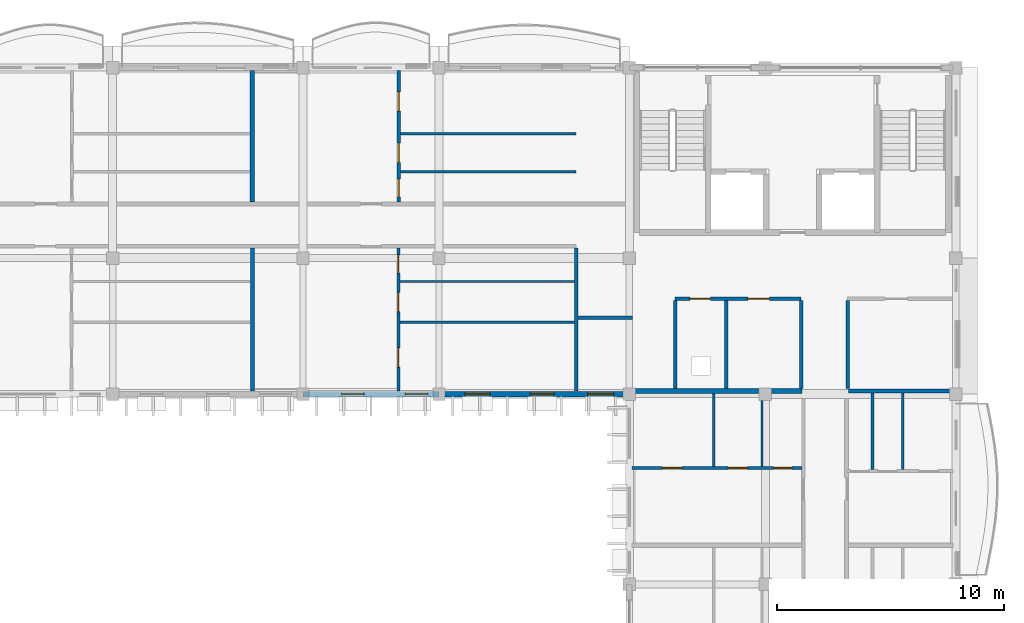
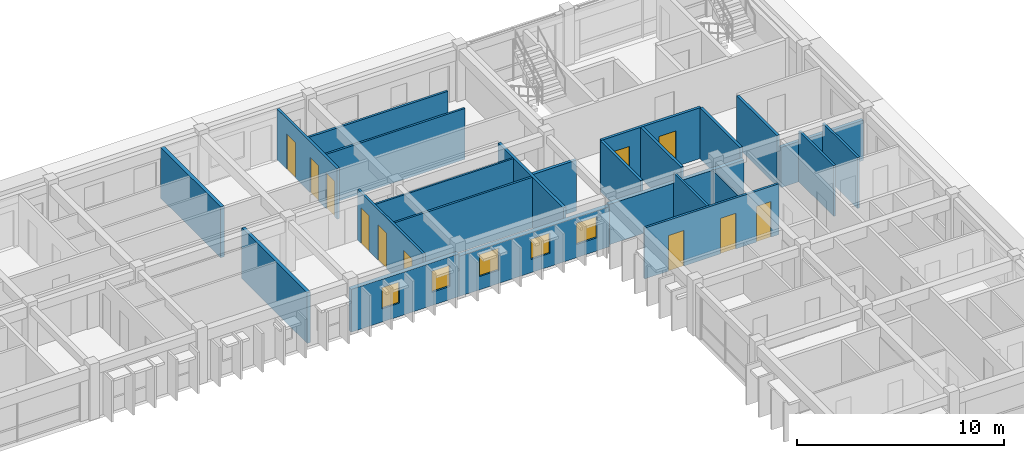
# One storey, part 18 of 31: 24 walls, 11 doors, 5 windows, 16 openings.
"""IFC4 building model written with IfcOpenShell, lengths in metres."""

from ifc_helpers import new_model, si_unit, direction, frame, frame_2d, origin, place, context, subcontext, project, spatial, rectangle, extrude, material, layer, layer_set, type_object, element, fill, save


model = new_model("IFC4")

# Units and contexts
model_context = context("Model", 3, precision=1e-05, world=origin(), true_north=direction((0.0, 1.0)))
body_context = subcontext(model_context, "Body", "Model", "MODEL_VIEW")
ifc_project = project(units=[si_unit("LENGTHUNIT", "METRE"), si_unit("AREAUNIT", "SQUARE_METRE"), si_unit("VOLUMEUNIT", "CUBIC_METRE"), si_unit("PLANEANGLEUNIT", "RADIAN"), si_unit("MASSUNIT", "GRAM", prefix="KILO"), si_unit("THERMODYNAMICTEMPERATUREUNIT", "KELVIN")], contexts=[model_context])

# Site, building, storey
site_placement = place(None, origin())
site = spatial("IfcSite", under=ifc_project, at=site_placement, CompositionType="ELEMENT")
building_placement = place(site_placement, origin())
building = spatial("IfcBuilding", under=site, at=building_placement, Name="Thalorik Housing Commons", CompositionType="ELEMENT")
storey_placement = place(building_placement, frame((0.0, 0.0, 37.800048828125)))
storey = spatial("IfcBuildingStorey", under=building, at=storey_placement, Name="L11", CompositionType="ELEMENT", Elevation=37.800048828125)

# Walls
ifc_material_1 = material(Name="Masonry fire-rated corridor wall", Category="masonry")
ifc_layer_1 = layer(ifc_material_1, 0.14990234375, Name="Masonry fire-rated corridor wall", Category="masonry")
ifc_layer_set_1 = layer_set([ifc_layer_1], Name="Masonry fire-rated corridor wall")
wall_type_1 = type_object("IfcWallType", Name="ARC-WAL-CORR-150", PredefinedType="PARTITIONING", material=ifc_layer_set_1)
wall_1_placement = place(storey_placement, frame((150.050048828125, 109.324462890625, 0.0), z_axis=(0.0, 0.0, 1.0), x_axis=(0.0, 1.0, 0.0)))
element("IfcWall", 1, at=wall_1_placement, inside=storey, type_object=wall_type_1, Name="L11 Block B Vestibule Cheek Wall", PredefinedType="PARTITIONING", context=body_context, shape_type="SweptSolid", body=[
    extrude(rectangle(XDim=6.318603515625, YDim=0.14990234375, at=frame_2d((3.1591796875, 0.0))), origin(), (0.0, 0.0, 1.0), 3.0),
])
ifc_layer_2 = layer(ifc_material_1, 0.1650390625, Name="Masonry fire-rated corridor wall", Category="masonry")
ifc_layer_set_2 = layer_set([ifc_layer_2], Name="Masonry fire-rated corridor wall")
wall_type_2 = type_object("IfcWallType", Name="ARC-WAL-CORR-165", PredefinedType="PARTITIONING", material=ifc_layer_set_2)
wall_2_placement = place(storey_placement, frame((150.126953125, 112.570068359375, 0.0), z_axis=(0.0, 0.0, 1.0), x_axis=(1.0, 0.0, 0.0)))
element("IfcWall", 2, at=wall_2_placement, inside=storey, type_object=wall_type_2, Name="L11 Block B Vestibule South Wall", PredefinedType="PARTITIONING", context=body_context, shape_type="SweptSolid", body=[
    extrude(rectangle(XDim=2.4130859375, YDim=0.1650390625, at=frame_2d((1.20654296875, 0.0))), origin(), (0.0, 0.0, 1.0), 3.0),
])

# Wall, openings, windows
ifc_material_2 = material(Name="White precast concrete C40/50", Category="concrete")
ifc_layer_3 = layer(ifc_material_2, 0.2451171875, Name="White precast concrete C40/50", Category="concrete")
ifc_layer_set_3 = layer_set([ifc_layer_3], Name="White precast concrete C40/50")
wall_type_3 = type_object("IfcWallType", Name="ARC-WAL-EXT-245", PredefinedType="STANDARD", material=ifc_layer_set_3)
wall_3_placement = place(storey_placement, frame((138.0, 109.199951171875, 0.0), z_axis=(0.0, 0.0, 1.0), x_axis=(1.0, 0.0, 0.0)))
wall_3 = element("IfcWall", 3, at=wall_3_placement, inside=storey, type_object=wall_type_3, Name="L11 Exterior Wall WAL-EXT-L11-B-0785", PredefinedType="STANDARD", context=body_context, shape_type="SweptSolid", body=[
    extrude(rectangle(XDim=6.0, YDim=0.2451171875, at=frame_2d((3.0, 0.0))), origin(), (0.0, 0.0, 1.0), 2.52490234375),
])
opening_1_placement = place(wall_3_placement, frame((1.699951171875, 0.0, 0.780029296875)))
opening_1 = element("IfcOpeningElement", 4, at=opening_1_placement, cuts=wall_3, Name="Opening W-02", PredefinedType="OPENING", context=body_context, shape_type="SweptSolid", body=[
    extrude(rectangle(XDim=1.0, YDim=1.25, at=frame_2d((0.5, 0.625))), frame((0.0, 0.132568359375, 0.0), z_axis=(0.0, -1.0, 0.0), x_axis=(1.0, 0.0, 0.0)), (0.0, 0.0, 1.0), 0.26513671875),
])
opening_2_placement = place(wall_3_placement, frame((4.510009765625, 0.0, 0.780029296875)))
opening_2 = element("IfcOpeningElement", 5, at=opening_2_placement, cuts=wall_3, Name="Opening W-02", PredefinedType="OPENING", context=body_context, shape_type="SweptSolid", body=[
    extrude(rectangle(XDim=1.0, YDim=1.25, at=frame_2d((0.5, 0.625))), frame((0.0, 0.132568359375, 0.0), z_axis=(0.0, -1.0, 0.0), x_axis=(1.0, 0.0, 0.0)), (0.0, 0.0, 1.0), 0.26513671875),
])
ifc_material_3 = material(Name="Anodised aluminium and solar-control low-E glass", Category="aluminium")
window_type_1 = type_object("IfcWindowType", Name="ARC-WIN-02", PartitioningType="SINGLE_PANEL", PredefinedType="WINDOW", material=ifc_material_3)
window_1_placement = place(opening_1_placement, origin())
window_1 = element("IfcWindow", 6, at=window_1_placement, inside=storey, type_object=window_type_1, Name="L11 Facade Window 1445", OverallHeight=1.25, OverallWidth=1.0, PartitioningType="SINGLE_PANEL", PredefinedType="WINDOW", context=body_context, shape_type="SweptSolid", body=[
    extrude(rectangle(XDim=1.0, YDim=1.25, at=frame_2d((0.5, 0.625))), frame((0.0, 0.030029296875, 0.0), z_axis=(0.0, -1.0, 0.0), x_axis=(1.0, 0.0, 0.0)), (0.0, 0.0, 1.0), 0.06005859375),
])
fill(opening_1, window_1)
window_2_placement = place(opening_2_placement, origin())
window_2 = element("IfcWindow", 7, at=window_2_placement, inside=storey, type_object=window_type_1, Name="L11 Facade Window 1446", OverallHeight=1.25, OverallWidth=1.0, PartitioningType="SINGLE_PANEL", PredefinedType="WINDOW", context=body_context, shape_type="SweptSolid", body=[
    extrude(rectangle(XDim=1.0, YDim=1.25, at=frame_2d((0.5, 0.625))), frame((0.0, 0.030029296875, 0.0), z_axis=(0.0, -1.0, 0.0), x_axis=(1.0, 0.0, 0.0)), (0.0, 0.0, 1.0), 0.06005859375),
])
fill(opening_2, window_2)

wall_4_placement = place(storey_placement, frame((144.0, 109.199951171875, 0.0), z_axis=(0.0, 0.0, 1.0), x_axis=(1.0, 0.0, 0.0)))
wall_4 = element("IfcWall", 8, at=wall_4_placement, inside=storey, type_object=wall_type_3, Name="L11 Exterior Wall WAL-EXT-L11-B-0786", PredefinedType="STANDARD", context=body_context, shape_type="SweptSolid", body=[
    extrude(rectangle(XDim=8.39990234375, YDim=0.2451171875, at=frame_2d((4.199951171875, 0.0))), origin(), (0.0, 0.0, 1.0), 2.375),
])
opening_3_placement = place(wall_4_placement, frame((1.139892578125, 0.0, 0.780029296875)))
opening_3 = element("IfcOpeningElement", 9, at=opening_3_placement, cuts=wall_4, Name="Opening W-03", PredefinedType="OPENING", context=body_context, shape_type="SweptSolid", body=[
    extrude(rectangle(XDim=1.10009765625, YDim=1.300048828125, at=frame_2d((0.550048828125, 0.64990234375))), frame((0.0, 0.132568359375, 0.0), z_axis=(0.0, -1.0, 0.0), x_axis=(1.0, 0.0, 0.0)), (0.0, 0.0, 1.0), 0.26513671875),
])
opening_4_placement = place(wall_4_placement, frame((4.02490234375, 0.0, 0.780029296875)))
opening_4 = element("IfcOpeningElement", 10, at=opening_4_placement, cuts=wall_4, Name="Opening W-44", PredefinedType="OPENING", context=body_context, shape_type="SweptSolid", body=[
    extrude(rectangle(XDim=1.050048828125, YDim=1.199951171875, at=frame_2d((0.52490234375, 0.60009765625))), frame((0.0, 0.132568359375, 0.0), z_axis=(0.0, -1.0, 0.0), x_axis=(1.0, 0.0, 0.0)), (0.0, 0.0, 1.0), 0.26513671875),
])
opening_5_placement = place(wall_4_placement, frame((6.554931640625, 0.0, 0.780029296875)))
opening_5 = element("IfcOpeningElement", 11, at=opening_5_placement, cuts=wall_4, Name="Opening W-45", PredefinedType="OPENING", context=body_context, shape_type="SweptSolid", body=[
    extrude(rectangle(XDim=1.14990234375, YDim=1.25, at=frame_2d((0.574951171875, 0.625))), frame((0.0, 0.132568359375, 0.0), z_axis=(0.0, -1.0, 0.0), x_axis=(1.0, 0.0, 0.0)), (0.0, 0.0, 1.0), 0.26513671875),
])
window_type_2 = type_object("IfcWindowType", Name="ARC-WIN-03", PartitioningType="SINGLE_PANEL", PredefinedType="WINDOW", material=ifc_material_3)
window_3_placement = place(opening_3_placement, origin())
window_3 = element("IfcWindow", 12, at=window_3_placement, inside=storey, type_object=window_type_2, Name="L11 Facade Window 1447", OverallHeight=1.300048828125, OverallWidth=1.10009765625, PartitioningType="SINGLE_PANEL", PredefinedType="WINDOW", context=body_context, shape_type="SweptSolid", body=[
    extrude(rectangle(XDim=1.10009765625, YDim=1.300048828125, at=frame_2d((0.550048828125, 0.64990234375))), frame((0.0, 0.030029296875, 0.0), z_axis=(0.0, -1.0, 0.0), x_axis=(1.0, 0.0, 0.0)), (0.0, 0.0, 1.0), 0.06005859375),
])
fill(opening_3, window_3)
window_type_3 = type_object("IfcWindowType", Name="ARC-WIN-44", PartitioningType="SINGLE_PANEL", PredefinedType="WINDOW", material=ifc_material_3)
window_4_placement = place(opening_4_placement, origin())
window_4 = element("IfcWindow", 13, at=window_4_placement, inside=storey, type_object=window_type_3, Name="L11 Facade Window 1448", OverallHeight=1.199951171875, OverallWidth=1.050048828125, PartitioningType="SINGLE_PANEL", PredefinedType="WINDOW", context=body_context, shape_type="SweptSolid", body=[
    extrude(rectangle(XDim=1.050048828125, YDim=1.199951171875, at=frame_2d((0.52490234375, 0.60009765625))), frame((0.0, 0.030029296875, 0.0), z_axis=(0.0, -1.0, 0.0), x_axis=(1.0, 0.0, 0.0)), (0.0, 0.0, 1.0), 0.06005859375),
])
fill(opening_4, window_4)
window_type_4 = type_object("IfcWindowType", Name="ARC-WIN-45", PartitioningType="SINGLE_PANEL", PredefinedType="WINDOW", material=ifc_material_3)
window_5_placement = place(opening_5_placement, origin())
window_5 = element("IfcWindow", 14, at=window_5_placement, inside=storey, type_object=window_type_4, Name="L11 Facade Window 1449", OverallHeight=1.25, OverallWidth=1.14990234375, PartitioningType="SINGLE_PANEL", PredefinedType="WINDOW", context=body_context, shape_type="SweptSolid", body=[
    extrude(rectangle(XDim=1.14990234375, YDim=1.25, at=frame_2d((0.574951171875, 0.625))), frame((0.0, 0.030029296875, 0.0), z_axis=(0.0, -1.0, 0.0), x_axis=(1.0, 0.0, 0.0)), (0.0, 0.0, 1.0), 0.06005859375),
])
fill(opening_5, window_5)

# Walls
ifc_material_4 = material(Name="Gypsum light stud partition", Category="masonry")
ifc_layer_4 = layer(ifc_material_4, 0.10009765625, Name="Gypsum light stud partition", Category="masonry")
ifc_layer_set_4 = layer_set([ifc_layer_4], Name="Gypsum light stud partition")
wall_type_4 = type_object("IfcWallType", Name="ARC-WAL-PART-100", PredefinedType="PARTITIONING", material=ifc_layer_set_4)
wall_5_placement = place(storey_placement, frame((142.2744140625, 114.169677734375, 0.0), z_axis=(0.0, 0.0, 1.0), x_axis=(1.0, 0.0, 0.0)))
element("IfcWall", 15, at=wall_5_placement, inside=storey, type_object=wall_type_4, Name="L11 Unit 3 Wet Wall", PredefinedType="PARTITIONING", context=body_context, shape_type="SweptSolid", body=[
    extrude(rectangle(XDim=7.698486328125, YDim=0.10009765625, at=frame_2d((3.84912109375, 0.0))), origin(), (0.0, 0.0, 1.0), 3.0),
])
wall_6_placement = place(storey_placement, frame((158.251220703125, 105.99951171875, 0.0), z_axis=(0.0, 0.0, 1.0), x_axis=(0.0, 1.0, 0.0)))
element("IfcWall", 16, at=wall_6_placement, inside=storey, type_object=wall_type_4, Name="L11 Unit 3 Wet Wall", PredefinedType="PARTITIONING", context=body_context, shape_type="SweptSolid", body=[
    extrude(rectangle(XDim=3.228515625, YDim=0.10009765625, at=frame_2d((1.6142578125, 0.0))), origin(), (0.0, 0.0, 1.0), 2.425048828125),
])
ifc_material_5 = material(Name="Gypsum moisture-resistant partition", Category="masonry")
ifc_layer_5 = layer(ifc_material_5, 0.114990234375, Name="Gypsum moisture-resistant partition", Category="masonry")
ifc_layer_set_5 = layer_set([ifc_layer_5], Name="Gypsum moisture-resistant partition")
wall_type_5 = type_object("IfcWallType", Name="ARC-WAL-PART-115", PredefinedType="PARTITIONING", material=ifc_layer_set_5)
wall_7_placement = place(storey_placement, frame((142.2744140625, 112.36083984375, 0.0), z_axis=(0.0, 0.0, 1.0), x_axis=(1.0, 0.0, 0.0)))
element("IfcWall", 17, at=wall_7_placement, inside=storey, type_object=wall_type_5, Name="L11 Unit 3 Bedroom Partition", PredefinedType="PARTITIONING", context=body_context, shape_type="SweptSolid", body=[
    extrude(rectangle(XDim=7.698486328125, YDim=0.114990234375, at=frame_2d((3.84912109375, 0.0))), origin(), (0.0, 0.0, 1.0), 3.0),
])
wall_8_placement = place(storey_placement, frame((142.29638671875, 119.010498046875, 0.0), z_axis=(0.0, 0.0, 1.0), x_axis=(1.0, 0.0, 0.0)))
element("IfcWall", 18, at=wall_8_placement, inside=storey, type_object=wall_type_5, Name="L11 Unit 3B Wet Wall", PredefinedType="PARTITIONING", context=body_context, shape_type="SweptSolid", body=[
    extrude(rectangle(XDim=7.753662109375, YDim=0.114990234375, at=frame_2d((3.876953125, 0.0))), origin(), (0.0, 0.0, 1.0), 3.0),
])
wall_9_placement = place(storey_placement, frame((156.11767578125, 105.99951171875, 0.0), z_axis=(0.0, 0.0, 1.0), x_axis=(0.0, 1.0, 0.0)))
element("IfcWall", 19, at=wall_9_placement, inside=storey, type_object=wall_type_5, Name="L11 Unit 3 Bedroom Partition", PredefinedType="PARTITIONING", context=body_context, shape_type="SweptSolid", body=[
    extrude(rectangle(XDim=3.228515625, YDim=0.114990234375, at=frame_2d((1.6142578125, 0.0))), origin(), (0.0, 0.0, 1.0), 3.0),
])
wall_10_placement = place(storey_placement, frame((163.122314453125, 105.870849609375, 0.0), z_axis=(0.0, 0.0, 1.0), x_axis=(0.0, 1.0, 0.0)))
element("IfcWall", 20, at=wall_10_placement, inside=storey, type_object=wall_type_5, Name="L11 Unit 3B Wet Wall", PredefinedType="PARTITIONING", context=body_context, shape_type="SweptSolid", body=[
    extrude(rectangle(XDim=3.374755859375, YDim=0.114990234375, at=frame_2d((1.6875, 0.0))), origin(), (0.0, 0.0, 1.0), 3.0),
])

# Wall, openings, doors
ifc_material_6 = material(Name="Gypsum acoustic stud partition", Category="masonry")
ifc_layer_6 = layer(ifc_material_6, 0.125, Name="Gypsum acoustic stud partition", Category="masonry")
ifc_layer_set_6 = layer_set([ifc_layer_6], Name="Gypsum acoustic stud partition")
wall_type_6 = type_object("IfcWallType", Name="ARC-WAL-PART-125", PredefinedType="PARTITIONING", material=ifc_layer_set_6)
wall_11_placement = place(storey_placement, frame((142.2099609375, 109.324462890625, 0.0), z_axis=(0.0, 0.0, 1.0), x_axis=(0.0, 1.0, 0.0)))
wall_11 = element("IfcWall", 21, at=wall_11_placement, inside=storey, type_object=wall_type_6, Name="L11 Unit 3 Spine Partition", PredefinedType="PARTITIONING", context=body_context, shape_type="SweptSolid", body=[
    extrude(rectangle(XDim=6.318603515625, YDim=0.125, at=frame_2d((3.1591796875, 0.0))), origin(), (0.0, 0.0, 1.0), 3.0),
])
opening_6_placement = place(wall_11_placement, frame((1.060791015625, 0.0, 0.0)))
opening_6 = element("IfcOpeningElement", 22, at=opening_6_placement, cuts=wall_11, Name="Opening ID-1490", PredefinedType="OPENING", context=body_context, shape_type="SweptSolid", body=[
    extrude(rectangle(XDim=0.85009765625, YDim=2.10009765625, at=frame_2d((0.425048828125, 1.050048828125))), frame((0.0, 0.072509765625, 0.0), z_axis=(0.0, -1.0, 0.0), x_axis=(1.0, 0.0, 0.0)), (0.0, 0.0, 1.0), 0.14501953125),
])
opening_7_placement = place(wall_11_placement, frame((3.515625, 0.0, 0.0)))
opening_7 = element("IfcOpeningElement", 23, at=opening_7_placement, cuts=wall_11, Name="Opening ID-1491", PredefinedType="OPENING", context=body_context, shape_type="SweptSolid", body=[
    extrude(rectangle(XDim=0.85009765625, YDim=2.10009765625, at=frame_2d((0.425048828125, 1.050048828125))), frame((0.0, 0.072509765625, 0.0), z_axis=(0.0, -1.0, 0.0), x_axis=(1.0, 0.0, 0.0)), (0.0, 0.0, 1.0), 0.14501953125),
])
opening_8_placement = place(wall_11_placement, frame((5.22021484375, 0.0, 0.0)))
opening_8 = element("IfcOpeningElement", 24, at=opening_8_placement, cuts=wall_11, Name="Opening ID-1492", PredefinedType="OPENING", context=body_context, shape_type="SweptSolid", body=[
    extrude(rectangle(XDim=0.800048828125, YDim=2.10009765625, at=frame_2d((0.39990234375, 1.050048828125))), frame((0.0, 0.072509765625, 0.0), z_axis=(0.0, -1.0, 0.0), x_axis=(1.0, 0.0, 0.0)), (0.0, 0.0, 1.0), 0.14501953125),
])
ifc_material_7 = material(Name="Moisture-resistant timber", Category="wood")
door_type_1 = type_object("IfcDoorType", Name="ARC-DR-INT-800", OperationType="NOTDEFINED", PredefinedType="DOOR", material=ifc_material_7)
door_1_placement = place(opening_8_placement, origin())
door_1 = element("IfcDoor", 25, at=door_1_placement, inside=storey, type_object=door_type_1, Name="L11 Flat Bathroom Door", OperationType="SINGLE_SWING_LEFT", OverallHeight=2.10009765625, OverallWidth=0.800048828125, PredefinedType="DOOR", context=body_context, shape_type="SweptSolid", body=[
    extrude(rectangle(XDim=0.800048828125, YDim=2.10009765625, at=frame_2d((0.39990234375, 1.050048828125))), frame((0.0, 0.02490234375, 0.0), z_axis=(0.0, -1.0, 0.0), x_axis=(1.0, 0.0, 0.0)), (0.0, 0.0, 1.0), 0.050048828125),
])
fill(opening_8, door_1)
ifc_material_8 = material(Name="Engineered oak timber", Category="wood")
door_type_2 = type_object("IfcDoorType", Name="ARC-DR-INT-850", OperationType="NOTDEFINED", PredefinedType="DOOR", material=ifc_material_8)
door_2_placement = place(opening_6_placement, origin())
door_2 = element("IfcDoor", 26, at=door_2_placement, inside=storey, type_object=door_type_2, Name="L11 Master Bedroom Door", OperationType="SINGLE_SWING_LEFT", OverallHeight=2.10009765625, OverallWidth=0.85009765625, PredefinedType="DOOR", context=body_context, shape_type="SweptSolid", body=[
    extrude(rectangle(XDim=0.85009765625, YDim=2.10009765625, at=frame_2d((0.425048828125, 1.050048828125))), frame((0.0, 0.02490234375, 0.0), z_axis=(0.0, -1.0, 0.0), x_axis=(1.0, 0.0, 0.0)), (0.0, 0.0, 1.0), 0.050048828125),
])
fill(opening_6, door_2)
door_3_placement = place(opening_7_placement, origin())
door_3 = element("IfcDoor", 27, at=door_3_placement, inside=storey, type_object=door_type_2, Name="L11 Eat-In Kitchen Door", OperationType="SINGLE_SWING_RIGHT", OverallHeight=2.10009765625, OverallWidth=0.85009765625, PredefinedType="DOOR", context=body_context, shape_type="SweptSolid", body=[
    extrude(rectangle(XDim=0.85009765625, YDim=2.10009765625, at=frame_2d((0.425048828125, 1.050048828125))), frame((0.0, 0.02490234375, 0.0), z_axis=(0.0, -1.0, 0.0), x_axis=(1.0, 0.0, 0.0)), (0.0, 0.0, 1.0), 0.050048828125),
])
fill(opening_7, door_3)

# Wall
wall_12_placement = place(storey_placement, frame((142.29638671875, 120.67919921875, 0.0), z_axis=(0.0, 0.0, 1.0), x_axis=(1.0, 0.0, 0.0)))
element("IfcWall", 28, at=wall_12_placement, inside=storey, type_object=wall_type_6, Name="L11 Unit 3B Bedroom Partition", PredefinedType="PARTITIONING", context=body_context, shape_type="SweptSolid", body=[
    extrude(rectangle(XDim=7.753662109375, YDim=0.125, at=frame_2d((3.876953125, 0.0))), origin(), (0.0, 0.0, 1.0), 3.0),
])

# Wall, openings, doors
wall_13_placement = place(storey_placement, frame((152.5244140625, 105.93505859375, 0.0), z_axis=(0.0, 0.0, 1.0), x_axis=(1.0, 0.0, 0.0)))
wall_13 = element("IfcWall", 29, at=wall_13_placement, inside=storey, type_object=wall_type_6, Name="L11 Unit 3 Spine Partition", PredefinedType="PARTITIONING", context=body_context, shape_type="SweptSolid", body=[
    extrude(rectangle(XDim=7.478515625, YDim=0.125, at=frame_2d((3.7392578125, 0.0))), origin(), (0.0, 0.0, 1.0), 3.0),
])
opening_9_placement = place(wall_13_placement, frame((1.33935546875, 0.0, 0.0)))
opening_9 = element("IfcOpeningElement", 30, at=opening_9_placement, cuts=wall_13, Name="Opening ID-1514", PredefinedType="OPENING", context=body_context, shape_type="SweptSolid", body=[
    extrude(rectangle(XDim=0.85009765625, YDim=2.10009765625, at=frame_2d((0.425048828125, 1.050048828125))), frame((0.0, 0.072509765625, 0.0), z_axis=(0.0, -1.0, 0.0), x_axis=(1.0, 0.0, 0.0)), (0.0, 0.0, 1.0), 0.14501953125),
])
opening_10_placement = place(wall_13_placement, frame((4.23486328125, 0.0, 0.0)))
opening_10 = element("IfcOpeningElement", 31, at=opening_10_placement, cuts=wall_13, Name="Opening ID-1515", PredefinedType="OPENING", context=body_context, shape_type="SweptSolid", body=[
    extrude(rectangle(XDim=0.85009765625, YDim=2.10009765625, at=frame_2d((0.425048828125, 1.050048828125))), frame((0.0, 0.072509765625, 0.0), z_axis=(0.0, -1.0, 0.0), x_axis=(1.0, 0.0, 0.0)), (0.0, 0.0, 1.0), 0.14501953125),
])
opening_11_placement = place(wall_13_placement, frame((6.2412109375, 0.0, 0.0)))
opening_11 = element("IfcOpeningElement", 32, at=opening_11_placement, cuts=wall_13, Name="Opening ID-1516", PredefinedType="OPENING", context=body_context, shape_type="SweptSolid", body=[
    extrude(rectangle(XDim=0.800048828125, YDim=2.10009765625, at=frame_2d((0.39990234375, 1.050048828125))), frame((0.0, 0.072509765625, 0.0), z_axis=(0.0, -1.0, 0.0), x_axis=(1.0, 0.0, 0.0)), (0.0, 0.0, 1.0), 0.14501953125),
])
door_4_placement = place(opening_11_placement, origin())
door_4 = element("IfcDoor", 33, at=door_4_placement, inside=storey, type_object=door_type_1, Name="L11 Flat Bathroom Door", OperationType="SINGLE_SWING_LEFT", OverallHeight=2.10009765625, OverallWidth=0.800048828125, PredefinedType="DOOR", context=body_context, shape_type="SweptSolid", body=[
    extrude(rectangle(XDim=0.800048828125, YDim=2.10009765625, at=frame_2d((0.39990234375, 1.050048828125))), frame((0.0, 0.02490234375, 0.0), z_axis=(0.0, -1.0, 0.0), x_axis=(1.0, 0.0, 0.0)), (0.0, 0.0, 1.0), 0.050048828125),
])
fill(opening_11, door_4)
door_5_placement = place(opening_9_placement, origin())
door_5 = element("IfcDoor", 34, at=door_5_placement, inside=storey, type_object=door_type_2, Name="L11 Master Bedroom Door", OperationType="SINGLE_SWING_LEFT", OverallHeight=2.10009765625, OverallWidth=0.85009765625, PredefinedType="DOOR", context=body_context, shape_type="SweptSolid", body=[
    extrude(rectangle(XDim=0.85009765625, YDim=2.10009765625, at=frame_2d((0.425048828125, 1.050048828125))), frame((0.0, 0.02490234375, 0.0), z_axis=(0.0, -1.0, 0.0), x_axis=(1.0, 0.0, 0.0)), (0.0, 0.0, 1.0), 0.050048828125),
])
fill(opening_9, door_5)
door_6_placement = place(opening_10_placement, origin())
door_6 = element("IfcDoor", 35, at=door_6_placement, inside=storey, type_object=door_type_2, Name="L11 Eat-In Kitchen Door", OperationType="SINGLE_SWING_RIGHT", OverallHeight=2.10009765625, OverallWidth=0.85009765625, PredefinedType="DOOR", context=body_context, shape_type="SweptSolid", body=[
    extrude(rectangle(XDim=0.85009765625, YDim=2.10009765625, at=frame_2d((0.425048828125, 1.050048828125))), frame((0.0, 0.02490234375, 0.0), z_axis=(0.0, -1.0, 0.0), x_axis=(1.0, 0.0, 0.0)), (0.0, 0.0, 1.0), 0.050048828125),
])
fill(opening_10, door_6)

# Wall
wall_14_placement = place(storey_placement, frame((164.455078125, 105.870849609375, 0.0), z_axis=(0.0, 0.0, 1.0), x_axis=(0.0, 1.0, 0.0)))
element("IfcWall", 36, at=wall_14_placement, inside=storey, type_object=wall_type_6, Name="L11 Unit 3B Bedroom Partition", PredefinedType="PARTITIONING", context=body_context, shape_type="SweptSolid", body=[
    extrude(rectangle(XDim=3.374755859375, YDim=0.125, at=frame_2d((1.6875, 0.0))), origin(), (0.0, 0.0, 1.0), 3.0),
])

# Wall, openings, doors
ifc_material_9 = material(Name="Ceramic masonry partition wall", Category="masonry")
ifc_layer_7 = layer(ifc_material_9, 0.139892578125, Name="Ceramic masonry partition wall", Category="masonry")
ifc_layer_set_7 = layer_set([ifc_layer_7], Name="Ceramic masonry partition wall")
wall_type_7 = type_object("IfcWallType", Name="ARC-WAL-PART-140", PredefinedType="PARTITIONING", material=ifc_layer_set_7)
wall_15_placement = place(storey_placement, frame((142.224365234375, 117.66455078125, 0.0), z_axis=(0.0, 0.0, 1.0), x_axis=(0.0, 1.0, 0.0)))
wall_15 = element("IfcWall", 37, at=wall_15_placement, inside=storey, type_object=wall_type_7, Name="L11 Unit 3B Spine Partition", PredefinedType="PARTITIONING", context=body_context, shape_type="SweptSolid", body=[
    extrude(rectangle(XDim=5.81103515625, YDim=0.139892578125, at=frame_2d((2.905517578125, 0.0))), origin(), (0.0, 0.0, 1.0), 3.0),
])
opening_12_placement = place(wall_15_placement, frame((0.230712890625, 0.0, 0.0)))
opening_12 = element("IfcOpeningElement", 38, at=opening_12_placement, cuts=wall_15, Name="Opening ID-1493", PredefinedType="OPENING", context=body_context, shape_type="SweptSolid", body=[
    extrude(rectangle(XDim=0.800048828125, YDim=2.10009765625, at=frame_2d((0.39990234375, 1.050048828125))), frame((0.0, 0.080078125, 0.0), z_axis=(0.0, -1.0, 0.0), x_axis=(1.0, 0.0, 0.0)), (0.0, 0.0, 1.0), 0.159912109375),
])
opening_13_placement = place(wall_15_placement, frame((1.75537109375, 0.0, 0.0)))
opening_13 = element("IfcOpeningElement", 39, at=opening_13_placement, cuts=wall_15, Name="Opening ID-1494", PredefinedType="OPENING", context=body_context, shape_type="SweptSolid", body=[
    extrude(rectangle(XDim=0.85009765625, YDim=2.10009765625, at=frame_2d((0.425048828125, 1.050048828125))), frame((0.0, 0.080078125, 0.0), z_axis=(0.0, -1.0, 0.0), x_axis=(1.0, 0.0, 0.0)), (0.0, 0.0, 1.0), 0.159912109375),
])
opening_14_placement = place(wall_15_placement, frame((4.02001953125, 0.0, 0.0)))
opening_14 = element("IfcOpeningElement", 40, at=opening_14_placement, cuts=wall_15, Name="Opening ID-1495", PredefinedType="OPENING", context=body_context, shape_type="SweptSolid", body=[
    extrude(rectangle(XDim=0.85009765625, YDim=2.10009765625, at=frame_2d((0.425048828125, 1.050048828125))), frame((0.0, 0.080078125, 0.0), z_axis=(0.0, -1.0, 0.0), x_axis=(1.0, 0.0, 0.0)), (0.0, 0.0, 1.0), 0.159912109375),
])
door_7_placement = place(opening_12_placement, origin())
door_7 = element("IfcDoor", 41, at=door_7_placement, inside=storey, type_object=door_type_1, Name="L11 Accessible Bathroom Door", OperationType="SINGLE_SWING_RIGHT", OverallHeight=2.10009765625, OverallWidth=0.800048828125, PredefinedType="DOOR", context=body_context, shape_type="SweptSolid", body=[
    extrude(rectangle(XDim=0.800048828125, YDim=2.10009765625, at=frame_2d((0.39990234375, 1.050048828125))), frame((0.0, 0.02490234375, 0.0), z_axis=(0.0, -1.0, 0.0), x_axis=(1.0, 0.0, 0.0)), (0.0, 0.0, 1.0), 0.050048828125),
])
fill(opening_12, door_7)
door_8_placement = place(opening_13_placement, origin())
door_8 = element("IfcDoor", 42, at=door_8_placement, inside=storey, type_object=door_type_2, Name="L11 Eat-In Kitchen Door", OperationType="SINGLE_SWING_LEFT", OverallHeight=2.10009765625, OverallWidth=0.85009765625, PredefinedType="DOOR", context=body_context, shape_type="SweptSolid", body=[
    extrude(rectangle(XDim=0.85009765625, YDim=2.10009765625, at=frame_2d((0.425048828125, 1.050048828125))), frame((0.0, 0.02490234375, 0.0), z_axis=(0.0, -1.0, 0.0), x_axis=(1.0, 0.0, 0.0)), (0.0, 0.0, 1.0), 0.050048828125),
])
fill(opening_13, door_8)
door_9_placement = place(opening_14_placement, origin())
door_9 = element("IfcDoor", 43, at=door_9_placement, inside=storey, type_object=door_type_2, Name="L11 Children's Bedroom Door", OperationType="SINGLE_SWING_RIGHT", OverallHeight=2.10009765625, OverallWidth=0.85009765625, PredefinedType="DOOR", context=body_context, shape_type="SweptSolid", body=[
    extrude(rectangle(XDim=0.85009765625, YDim=2.10009765625, at=frame_2d((0.425048828125, 1.050048828125))), frame((0.0, 0.02490234375, 0.0), z_axis=(0.0, -1.0, 0.0), x_axis=(1.0, 0.0, 0.0)), (0.0, 0.0, 1.0), 0.050048828125),
])
fill(opening_14, door_9)

# Walls
ifc_layer_8 = layer(ifc_material_9, 0.14794921875, Name="Ceramic masonry partition wall", Category="masonry")
ifc_layer_set_8 = layer_set([ifc_layer_8], Name="Ceramic masonry partition wall")
wall_type_8 = type_object("IfcWallType", Name="ARC-WAL-PART-150", PredefinedType="PARTITIONING", material=ifc_layer_set_8)
for number, where, z_axis, x_axis, name in (
    (44, (154.419921875, 113.323974609375, 0.0), (0.0, 0.0, 1.0), (0.0, -1.0, 0.0), "Core West Enclosing Wall"),
    (45, (156.675048828125, 113.323974609375, 0.0), (0.0, 0.0, 1.0), (0.0, -1.0, 0.0), "Riser Wall"),
    (46, (159.97509765625, 113.323974609375, 0.0), (0.0, 0.0, 1.0), (0.0, -1.0, 0.0), "Core Stem West Cheek Wall"),
):
    element("IfcWall", number, at=place(storey_placement, frame(where, z_axis=z_axis, x_axis=x_axis)), inside=storey, type_object=wall_type_8, Name=name, PredefinedType="PARTITIONING", context=body_context, shape_type="SweptSolid", body=[
        extrude(rectangle(XDim=3.8720703125, YDim=0.14794921875, at=frame_2d((1.93603515625, 0.0))), origin(), (0.0, 0.0, 1.0), 3.0),
    ])
wall_16_placement = place(storey_placement, frame((162.02490234375, 113.323974609375, 0.0), z_axis=(0.0, 0.0, 1.0), x_axis=(0.0, -1.0, 0.0)))
element("IfcWall", 47, at=wall_16_placement, inside=storey, type_object=wall_type_8, Name="Core Stem East Cheek Wall", PredefinedType="PARTITIONING", context=body_context, shape_type="SweptSolid", body=[
    extrude(rectangle(XDim=3.889404296875, YDim=0.14794921875, at=frame_2d((1.94482421875, 0.0))), origin(), (0.0, 0.0, 1.0), 3.0),
])

# Wall, openings, doors
wall_17_placement = place(storey_placement, frame((154.419921875, 113.39990234375, 0.0), z_axis=(0.0, 0.0, 1.0), x_axis=(1.0, 0.0, 0.0)))
wall_17 = element("IfcWall", 48, at=wall_17_placement, inside=storey, type_object=wall_type_8, Name="L11 Core B West Corridor Partition", PredefinedType="PARTITIONING", context=body_context, shape_type="SweptSolid", body=[
    extrude(rectangle(XDim=5.55517578125, YDim=0.14794921875, at=frame_2d((2.777587890625, 0.0))), origin(), (0.0, 0.0, 1.0), 3.0),
])
opening_15_placement = place(wall_17_placement, frame((0.64990234375, 0.0, 0.0)))
opening_15 = element("IfcOpeningElement", 49, at=opening_15_placement, cuts=wall_17, Name="Opening ID-0238", PredefinedType="OPENING", context=body_context, shape_type="SweptSolid", body=[
    extrude(rectangle(XDim=0.89990234375, YDim=2.10009765625, at=frame_2d((0.449951171875, 1.050048828125))), frame((0.0, 0.083984375, 0.0), z_axis=(0.0, -1.0, 0.0), x_axis=(1.0, 0.0, 0.0)), (0.0, 0.0, 1.0), 0.16796875),
])
opening_16_placement = place(wall_17_placement, frame((3.199951171875, 0.0, 0.0)))
opening_16 = element("IfcOpeningElement", 50, at=opening_16_placement, cuts=wall_17, Name="Opening ID-0239", PredefinedType="OPENING", context=body_context, shape_type="SweptSolid", body=[
    extrude(rectangle(XDim=0.949951171875, YDim=2.10009765625, at=frame_2d((0.47509765625, 1.050048828125))), frame((0.0, 0.083984375, 0.0), z_axis=(0.0, -1.0, 0.0), x_axis=(1.0, 0.0, 0.0)), (0.0, 0.0, 1.0), 0.16796875),
])
ifc_material_10 = material(Name="Steel S355", Category="steel")
door_type_3 = type_object("IfcDoorType", Name="ARC-DR-FD60-900", OperationType="NOTDEFINED", PredefinedType="DOOR", material=ifc_material_10)
door_10_placement = place(opening_15_placement, origin())
door_10 = element("IfcDoor", 51, at=door_10_placement, inside=storey, type_object=door_type_3, Name="Electrical Riser Door", OperationType="SINGLE_SWING_LEFT", OverallHeight=2.10009765625, OverallWidth=0.89990234375, PredefinedType="DOOR", context=body_context, shape_type="SweptSolid", body=[
    extrude(rectangle(XDim=0.89990234375, YDim=2.10009765625, at=frame_2d((0.449951171875, 1.050048828125))), frame((0.0, 0.02490234375, 0.0), z_axis=(0.0, -1.0, 0.0), x_axis=(1.0, 0.0, 0.0)), (0.0, 0.0, 1.0), 0.050048828125),
])
fill(opening_15, door_10)
door_type_4 = type_object("IfcDoorType", Name="ARC-DR-INT-950", OperationType="NOTDEFINED", PredefinedType="DOOR", material=ifc_material_8)
door_11_placement = place(opening_16_placement, origin())
door_11 = element("IfcDoor", 52, at=door_11_placement, inside=storey, type_object=door_type_4, Name="Accessible Bathroom Door", OperationType="SINGLE_SWING_RIGHT", OverallHeight=2.10009765625, OverallWidth=0.949951171875, PredefinedType="DOOR", context=body_context, shape_type="SweptSolid", body=[
    extrude(rectangle(XDim=0.949951171875, YDim=2.10009765625, at=frame_2d((0.47509765625, 1.050048828125))), frame((0.0, 0.02490234375, 0.0), z_axis=(0.0, -1.0, 0.0), x_axis=(1.0, 0.0, 0.0)), (0.0, 0.0, 1.0), 0.050048828125),
])
fill(opening_16, door_11)

# Walls
ifc_material_11 = material(Name="Masonry acoustic blockwork wall", Category="masonry")
ifc_layer_9 = layer(ifc_material_11, 0.18505859375, Name="Masonry acoustic blockwork wall", Category="masonry")
ifc_layer_set_9 = layer_set([ifc_layer_9], Name="Masonry acoustic blockwork wall")
wall_type_9 = type_object("IfcWallType", Name="ARC-WAL-PARTY-185", PredefinedType="PARTITIONING", material=ifc_layer_set_9)
wall_18_placement = place(storey_placement, frame((135.77001953125, 109.324462890625, 0.0), z_axis=(0.0, 0.0, 1.0), x_axis=(0.0, 1.0, 0.0)))
element("IfcWall", 53, at=wall_18_placement, inside=storey, type_object=wall_type_9, Name="L11 Inter-Tenancy Wall 2A", PredefinedType="PARTITIONING", context=body_context, shape_type="SweptSolid", body=[
    extrude(rectangle(XDim=6.318603515625, YDim=0.18505859375, at=frame_2d((3.1591796875, 0.0))), origin(), (0.0, 0.0, 1.0), 3.0),
])
wall_19_placement = place(storey_placement, frame((162.064453125, 109.340087890625, 0.0), z_axis=(0.0, 0.0, 1.0), x_axis=(1.0, 0.0, 0.0)))
element("IfcWall", 54, at=wall_19_placement, inside=storey, type_object=wall_type_9, Name="L11 Core End Wall B", PredefinedType="PARTITIONING", context=body_context, shape_type="SweptSolid", body=[
    extrude(rectangle(XDim=4.611083984375, YDim=0.18505859375, at=frame_2d((2.3056640625, 0.0))), origin(), (0.0, 0.0, 1.0), 2.375),
])
ifc_material_12 = material(Name="Precast concrete C40/50 acoustic wall", Category="concrete")
ifc_layer_10 = layer(ifc_material_12, 0.199951171875, Name="Precast concrete C40/50 acoustic wall", Category="concrete")
ifc_layer_set_10 = layer_set([ifc_layer_10], Name="Precast concrete C40/50 acoustic wall")
wall_type_10 = type_object("IfcWallType", Name="ARC-WAL-PARTY-200", PredefinedType="PARTITIONING", material=ifc_layer_set_10)
wall_20_placement = place(storey_placement, frame((135.77001953125, 117.66455078125, 0.0), z_axis=(0.0, 0.0, 1.0), x_axis=(0.0, 1.0, 0.0)))
element("IfcWall", 55, at=wall_20_placement, inside=storey, type_object=wall_type_10, Name="L11 Inter-Tenancy Wall 2B", PredefinedType="PARTITIONING", context=body_context, shape_type="SweptSolid", body=[
    extrude(rectangle(XDim=5.81103515625, YDim=0.199951171875, at=frame_2d((2.905517578125, 0.0))), origin(), (0.0, 0.0, 1.0), 3.0),
])
ifc_layer_11 = layer(ifc_material_12, 0.219970703125, Name="Precast concrete C40/50 acoustic wall", Category="concrete")
ifc_layer_set_11 = layer_set([ifc_layer_11], Name="Precast concrete C40/50 acoustic wall")
wall_type_11 = type_object("IfcWallType", Name="ARC-WAL-PARTY-220", PredefinedType="PARTITIONING", material=ifc_layer_set_11)
wall_21_placement = place(storey_placement, frame((152.4599609375, 109.340087890625, 0.0), z_axis=(0.0, 0.0, 1.0), x_axis=(1.0, 0.0, 0.0)))
element("IfcWall", 56, at=wall_21_placement, inside=storey, type_object=wall_type_11, Name="L11 Core End Wall A", PredefinedType="PARTITIONING", context=body_context, shape_type="SweptSolid", body=[
    extrude(rectangle(XDim=7.54296875, YDim=0.219970703125, at=frame_2d((3.771484375, 0.0))), origin(), (0.0, 0.0, 1.0), 2.375),
])

save(model, "model.ifc")
